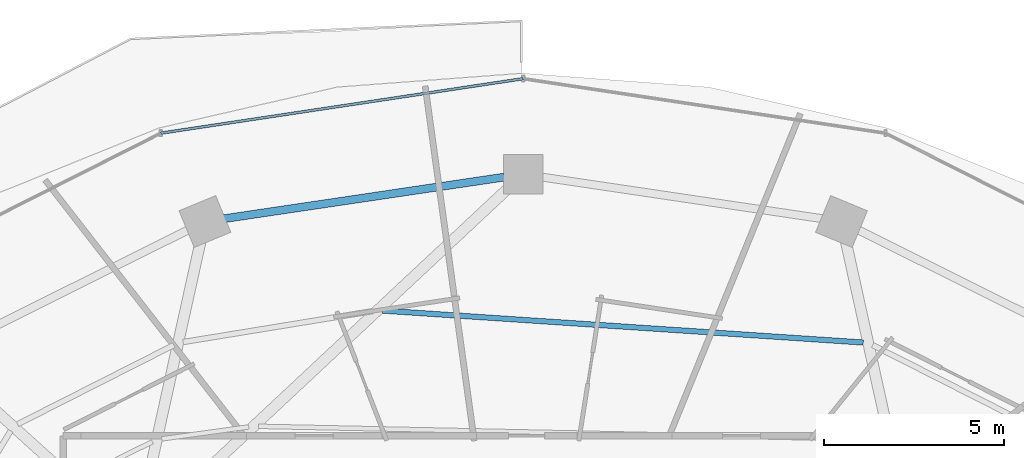
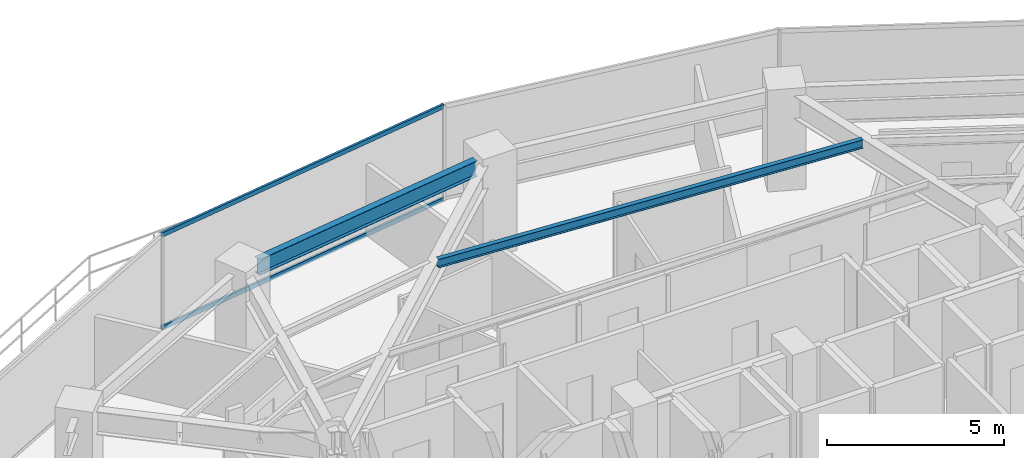
# One storey, part 17 of 30: 2 beams, 2 members, 1 element without a shape of its own.
"""IFC4 building model written with IfcOpenShell, lengths in metres."""

from ifc_helpers import new_model, si_unit, direction, frame, origin, origin_2d, place, context, subcontext, project, spatial, hollow_rectangle, i_section, extrude, material, material_profile, profile_set, type_object, element, aggregate, save


model = new_model("IFC4")

# Units and contexts
model_context = context("Model", 3, precision=1e-05, world=origin(), true_north=direction((0.0, 1.0)))
body_context = subcontext(model_context, "Body", "Model", "MODEL_VIEW")
ifc_project = project(units=[si_unit("LENGTHUNIT", "METRE"), si_unit("AREAUNIT", "SQUARE_METRE"), si_unit("VOLUMEUNIT", "CUBIC_METRE"), si_unit("PLANEANGLEUNIT", "RADIAN"), si_unit("MASSUNIT", "GRAM", prefix="KILO")], contexts=[model_context])

# Site, building, storey
site_placement = place(None, origin())
site = spatial("IfcSite", under=ifc_project, at=site_placement, CompositionType="ELEMENT")
building_placement = place(site_placement, origin())
building = spatial("IfcBuilding", under=site, at=building_placement, Name="Vorneva Point Tower", CompositionType="ELEMENT")
storey_placement = place(building_placement, frame((0.0, 0.0, 96.300048828125)))
storey = spatial("IfcBuildingStorey", under=building, at=storey_placement, Name="L25", CompositionType="ELEMENT", Elevation=96.300048828125)

# Beams
ifc_material_1 = material(Name="Steel S355", Category="steel")
ifc_material_profile_1 = material_profile(ifc_material_1, i_section(OverallWidth=0.14892578125, OverallDepth=0.298095703125, WebThickness=0.005615234375, FlangeThickness=0.008056640625, at=origin_2d()), Name="30B1")
ifc_profile_set_1 = profile_set([ifc_material_profile_1], Name="Steel S355")
beam_type_1 = type_object("IfcBeamType", Name="BM-JST-30B1", PredefinedType="JOIST", material=ifc_profile_set_1)
beam_1_placement = place(storey_placement, frame((47.425537109375, 38.53662109375, 3.091064453125), z_axis=(-0.997801151854, 0.066278664436, 0.0), x_axis=(-0.066278664436, -0.997801151854, 0.0)))
element("IfcBeam", 1, at=beam_1_placement, inside=storey, type_object=beam_type_1, Name="L25 Secondary Floor Beam 1.04", PredefinedType="JOIST", context=body_context, shape_type="SweptSolid", body=[
    extrude(i_section(OverallWidth=0.14892578125, OverallDepth=0.298095703125, WebThickness=0.005615234375, FlangeThickness=0.008056640625, at=origin_2d()), origin(), (0.0, 0.0, 1.0), 13.34912109375),
])
ifc_material_profile_2 = material_profile(ifc_material_1, i_section(OverallWidth=0.219970703125, OverallDepth=0.54296875, WebThickness=0.009521484375, FlangeThickness=0.013427734375, at=origin_2d()), Name="55B1")
ifc_profile_set_2 = profile_set([ifc_material_profile_2], Name="Steel S355")
beam_type_2 = type_object("IfcBeamType", Name="BM-SPN-55B1", PredefinedType="SPANDREL", material=ifc_profile_set_2)
beam_2_placement = place(storey_placement, frame((37.470703125, 43.121337890625, 2.968505859375), z_axis=(-0.989164507783, -0.146811363806, 0.0), x_axis=(0.146811363806, -0.989164507783, 0.0)))
element("IfcBeam", 2, at=beam_2_placement, inside=storey, type_object=beam_type_2, Name="L25 Perimeter Spandrel Ring Beam 05", PredefinedType="SPANDREL", context=body_context, shape_type="SweptSolid", body=[
    extrude(i_section(OverallWidth=0.219970703125, OverallDepth=0.54296875, WebThickness=0.009521484375, FlangeThickness=0.013427734375, at=origin_2d()), origin(), (0.0, 0.0, 1.0), 7.847412109375),
])

# Curtain wall, members
ifc_material_2 = material(Name="Pale anodised aluminium", Category="aluminium")
curtain_wall_type = type_object("IfcCurtainWallType", Name="CW-HTL-SYS", PredefinedType="NOTDEFINED", material=ifc_material_2)
curtain_wall_placement = place(storey_placement, origin())
curtain_wall = element("IfcCurtainWall", 3, at=curtain_wall_placement, inside=storey, type_object=curtain_wall_type, Name="L25 Unitised Curtain Wall CW-L25-R02", PredefinedType="NOTDEFINED")
ifc_material_profile_3 = material_profile(ifc_material_2, hollow_rectangle(XDim=0.074951171875, YDim=0.14990234375, WallThickness=0.00390625, at=origin_2d()), Name="AL-TRN 150x75x4")
ifc_profile_set_3 = profile_set([ifc_material_profile_3], Name="Pale anodised aluminium")
member_type = type_object("IfcMemberType", Name="CW-TRN-150", PredefinedType="USERDEFINED", material=ifc_profile_set_3)
member_1_placement = place(storey_placement, frame((38.0, 45.85009765625, 0.02001953125), z_axis=(-0.988875982167, -0.148742367512, 0.0), x_axis=(0.148742367512, -0.988875982167, 0.0)))
member_1 = element("IfcMember", 4, at=member_1_placement, type_object=member_type, Name="CW-L25-R02 Transom 03.1", ObjectType="TRANSOM", PredefinedType="USERDEFINED", context=body_context, shape_type="SweptSolid", body=[
    extrude(hollow_rectangle(XDim=0.074951171875, YDim=0.14990234375, WallThickness=0.00390625, at=origin_2d()), origin(), (0.0, 0.0, 1.0), 10.158447265625),
])
member_2_placement = place(storey_placement, frame((38.0, 45.85009765625, 3.219970703125), z_axis=(-0.988875982167, -0.148742367512, 0.0), x_axis=(0.148742367512, -0.988875982167, 0.0)))
member_2 = element("IfcMember", 5, at=member_2_placement, type_object=member_type, Name="CW-L25-R02 Transom 03.2", ObjectType="TRANSOM", PredefinedType="USERDEFINED", context=body_context, shape_type="SweptSolid", body=[
    extrude(hollow_rectangle(XDim=0.074951171875, YDim=0.14990234375, WallThickness=0.00390625, at=origin_2d()), origin(), (0.0, 0.0, 1.0), 10.158447265625),
])
aggregate(curtain_wall, [member_1, member_2])

save(model, "model.ifc")
